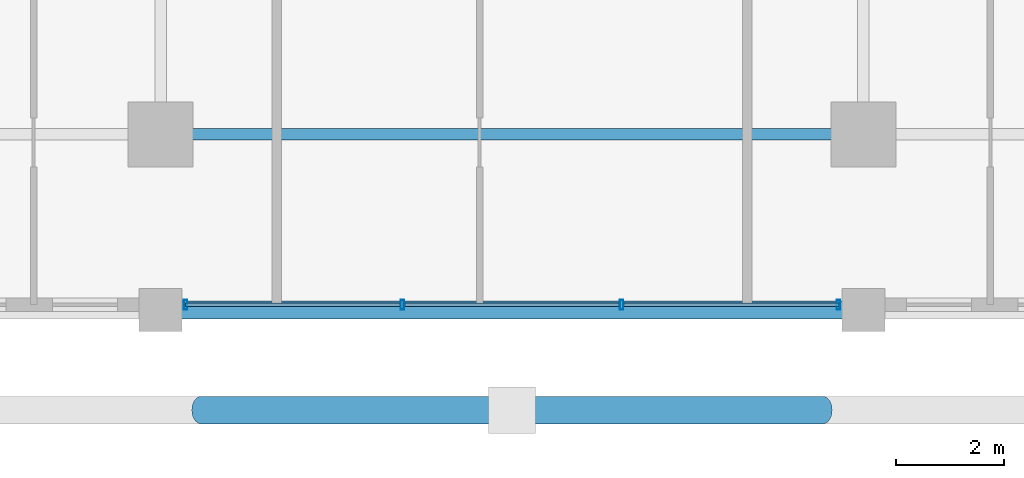
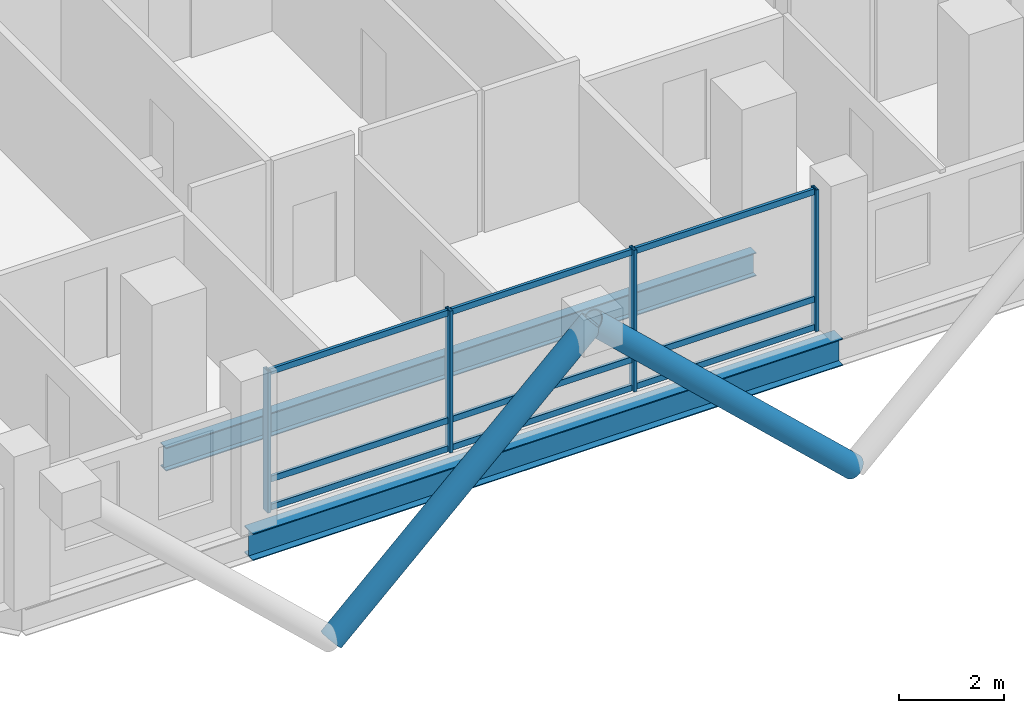
# One storey, part 2 of 23: 15 members, 2 beams, 1 element without a shape of its own.
"""IFC4 building model written with IfcOpenShell, lengths in metres."""

from ifc_helpers import new_model, si_unit, direction, frame, origin, origin_2d, place, context, subcontext, project, spatial, hollow_rectangle, hollow_circle, i_section, extrude, material, layer, layer_set, material_profile, profile_set, type_object, element, aggregate, save


model = new_model("IFC4")

# Units and contexts
model_context = context("Model", 3, precision=1e-05, world=origin(), true_north=direction((0.0, 1.0)))
body_context = subcontext(model_context, "Body", "Model", "MODEL_VIEW")
ifc_project = project(units=[si_unit("LENGTHUNIT", "METRE"), si_unit("AREAUNIT", "SQUARE_METRE"), si_unit("VOLUMEUNIT", "CUBIC_METRE"), si_unit("PLANEANGLEUNIT", "RADIAN"), si_unit("MASSUNIT", "GRAM", prefix="KILO")], contexts=[model_context])

# Site, building, storey
site_placement = place(None, origin())
site = spatial("IfcSite", under=ifc_project, at=site_placement, CompositionType="ELEMENT")
building_placement = place(site_placement, origin())
building = spatial("IfcBuilding", under=site, at=building_placement, Name="Barlavira Tower and Art Museum", CompositionType="ELEMENT")
storey_placement = place(building_placement, frame((0.0, 0.0, 117.0)))
storey = spatial("IfcBuildingStorey", under=building, at=storey_placement, Name="L29", CompositionType="ELEMENT", Elevation=117.0)

# Curtain wall, members
ifc_material_1 = material(Name="Low-iron coastal laminated glass", Category="glass")
ifc_layer = layer(ifc_material_1, 0.18994140625, Name="Low-iron coastal laminated glass")
ifc_layer_set = layer_set([ifc_layer], Name="Low-iron coastal laminated glass")
curtain_wall_type = type_object("IfcCurtainWallType", Name="Pale-Metal Unitised Curtain Wall Zone 2", PredefinedType="NOTDEFINED", material=ifc_layer_set)
curtain_wall_placement = place(storey_placement, origin())
curtain_wall = element("IfcCurtainWall", 1, at=curtain_wall_placement, inside=storey, type_object=curtain_wall_type, Name="L29 Curtain Wall CW2-L29-S-B3", PredefinedType="NOTDEFINED")
ifc_material_2 = material(Name="Pale anodised aluminium", Category="aluminium")
ifc_material_profile_1 = material_profile(ifc_material_2, hollow_rectangle(XDim=0.06494140625, YDim=0.179931640625, WallThickness=0.00390625, at=origin_2d()), Name="ALU-MULL 65x180x4")
ifc_profile_set_1 = profile_set([ifc_material_profile_1], Name="Pale anodised aluminium")
member_type_1 = type_object("IfcMemberType", Name="Curtain Wall Pale-Metal Mullion 65x180", PredefinedType="MULLION", material=ifc_profile_set_1)
member_1_placement = place(storey_placement, frame((-6.034912109375, -23.14990234375, 0.0), z_axis=(0.0, 0.0, 1.0), x_axis=(1.0, 0.0, 0.0)))
member_1 = element("IfcMember", 2, at=member_1_placement, type_object=member_type_1, Name="CW2-L29-S-B3 Mullion 0", PredefinedType="MULLION", context=body_context, shape_type="SweptSolid", body=[
    extrude(hollow_rectangle(XDim=0.06494140625, YDim=0.179931640625, WallThickness=0.00390625, at=origin_2d()), origin(), (0.0, 0.0, 1.0), 3.300048828125),
])
member_2_placement = place(storey_placement, frame((-2.026611328125, -23.14990234375, 0.0), z_axis=(0.0, 0.0, 1.0), x_axis=(1.0, 0.0, 0.0)))
member_2 = element("IfcMember", 3, at=member_2_placement, type_object=member_type_1, Name="CW2-L29-S-B3 Mullion 1", PredefinedType="MULLION", context=body_context, shape_type="SweptSolid", body=[
    extrude(hollow_rectangle(XDim=0.06494140625, YDim=0.179931640625, WallThickness=0.00390625, at=origin_2d()), origin(), (0.0, 0.0, 1.0), 3.300048828125),
])
member_3_placement = place(storey_placement, frame((2.026611328125, -23.14990234375, 0.0), z_axis=(0.0, 0.0, 1.0), x_axis=(1.0, 0.0, 0.0)))
member_3 = element("IfcMember", 4, at=member_3_placement, type_object=member_type_1, Name="CW2-L29-S-B3 Mullion 2", PredefinedType="MULLION", context=body_context, shape_type="SweptSolid", body=[
    extrude(hollow_rectangle(XDim=0.06494140625, YDim=0.179931640625, WallThickness=0.00390625, at=origin_2d()), origin(), (0.0, 0.0, 1.0), 3.300048828125),
])
member_4_placement = place(storey_placement, frame((6.034912109375, -23.14990234375, 0.0), z_axis=(0.0, 0.0, 1.0), x_axis=(1.0, 0.0, 0.0)))
member_4 = element("IfcMember", 5, at=member_4_placement, type_object=member_type_1, Name="CW2-L29-S-B3 Mullion 3", PredefinedType="MULLION", context=body_context, shape_type="SweptSolid", body=[
    extrude(hollow_rectangle(XDim=0.06494140625, YDim=0.179931640625, WallThickness=0.00390625, at=origin_2d()), origin(), (0.0, 0.0, 1.0), 3.300048828125),
])
ifc_material_profile_2 = material_profile(ifc_material_2, hollow_rectangle(XDim=0.06494140625, YDim=0.139892578125, WallThickness=0.00390625, at=origin_2d()), Name="ALU-TRAN 65x140x4")
ifc_profile_set_2 = profile_set([ifc_material_profile_2], Name="Pale anodised aluminium")
member_type_2 = type_object("IfcMemberType", Name="Curtain Wall Pale-Metal Transom 65x140", PredefinedType="USERDEFINED", material=ifc_profile_set_2)
member_5_placement = place(storey_placement, frame((-6.034912109375, -23.14990234375, 0.070068359375), z_axis=(1.0, 0.0, 0.0), x_axis=(0.0, 1.0, 0.0)))
member_5 = element("IfcMember", 6, at=member_5_placement, type_object=member_type_2, Name="CW2-L29-S-B3 Transom 0.1", ObjectType="TRANSOM", PredefinedType="USERDEFINED", context=body_context, shape_type="SweptSolid", body=[
    extrude(hollow_rectangle(XDim=0.06494140625, YDim=0.139892578125, WallThickness=0.00390625, at=origin_2d()), origin(), (0.0, 0.0, 1.0), 3.963134765625),
])
member_6_placement = place(storey_placement, frame((-6.034912109375, -23.14990234375, 0.72607421875), z_axis=(1.0, 0.0, 0.0), x_axis=(0.0, 1.0, 0.0)))
member_6 = element("IfcMember", 7, at=member_6_placement, type_object=member_type_2, Name="CW2-L29-S-B3 Transom 0.2", ObjectType="TRANSOM", PredefinedType="USERDEFINED", context=body_context, shape_type="SweptSolid", body=[
    extrude(hollow_rectangle(XDim=0.06494140625, YDim=0.139892578125, WallThickness=0.00390625, at=origin_2d()), origin(), (0.0, 0.0, 1.0), 3.963134765625),
])
member_7_placement = place(storey_placement, frame((-6.034912109375, -23.14990234375, 3.22998046875), z_axis=(1.0, 0.0, 0.0), x_axis=(0.0, 1.0, 0.0)))
member_7 = element("IfcMember", 8, at=member_7_placement, type_object=member_type_2, Name="CW2-L29-S-B3 Transom 0.3", ObjectType="TRANSOM", PredefinedType="USERDEFINED", context=body_context, shape_type="SweptSolid", body=[
    extrude(hollow_rectangle(XDim=0.06494140625, YDim=0.139892578125, WallThickness=0.00390625, at=origin_2d()), origin(), (0.0, 0.0, 1.0), 3.963134765625),
])
member_8_placement = place(storey_placement, frame((-1.981689453125, -23.14990234375, 0.070068359375), z_axis=(1.0, 0.0, 0.0), x_axis=(0.0, 1.0, 0.0)))
member_8 = element("IfcMember", 9, at=member_8_placement, type_object=member_type_2, Name="CW2-L29-S-B3 Transom 1.1", ObjectType="TRANSOM", PredefinedType="USERDEFINED", context=body_context, shape_type="SweptSolid", body=[
    extrude(hollow_rectangle(XDim=0.06494140625, YDim=0.139892578125, WallThickness=0.00390625, at=origin_2d()), origin(), (0.0, 0.0, 1.0), 3.96337890625),
])
member_9_placement = place(storey_placement, frame((-1.981689453125, -23.14990234375, 0.72607421875), z_axis=(1.0, 0.0, 0.0), x_axis=(0.0, 1.0, 0.0)))
member_9 = element("IfcMember", 10, at=member_9_placement, type_object=member_type_2, Name="CW2-L29-S-B3 Transom 1.2", ObjectType="TRANSOM", PredefinedType="USERDEFINED", context=body_context, shape_type="SweptSolid", body=[
    extrude(hollow_rectangle(XDim=0.06494140625, YDim=0.139892578125, WallThickness=0.00390625, at=origin_2d()), origin(), (0.0, 0.0, 1.0), 3.96337890625),
])
member_10_placement = place(storey_placement, frame((-1.981689453125, -23.14990234375, 3.22998046875), z_axis=(1.0, 0.0, 0.0), x_axis=(0.0, 1.0, 0.0)))
member_10 = element("IfcMember", 11, at=member_10_placement, type_object=member_type_2, Name="CW2-L29-S-B3 Transom 1.3", ObjectType="TRANSOM", PredefinedType="USERDEFINED", context=body_context, shape_type="SweptSolid", body=[
    extrude(hollow_rectangle(XDim=0.06494140625, YDim=0.139892578125, WallThickness=0.00390625, at=origin_2d()), origin(), (0.0, 0.0, 1.0), 3.96337890625),
])
member_11_placement = place(storey_placement, frame((2.07177734375, -23.14990234375, 0.070068359375), z_axis=(1.0, 0.0, 0.0), x_axis=(0.0, 1.0, 0.0)))
member_11 = element("IfcMember", 12, at=member_11_placement, type_object=member_type_2, Name="CW2-L29-S-B3 Transom 2.1", ObjectType="TRANSOM", PredefinedType="USERDEFINED", context=body_context, shape_type="SweptSolid", body=[
    extrude(hollow_rectangle(XDim=0.06494140625, YDim=0.139892578125, WallThickness=0.00390625, at=origin_2d()), origin(), (0.0, 0.0, 1.0), 3.963134765625),
])
member_12_placement = place(storey_placement, frame((2.07177734375, -23.14990234375, 0.72607421875), z_axis=(1.0, 0.0, 0.0), x_axis=(0.0, 1.0, 0.0)))
member_12 = element("IfcMember", 13, at=member_12_placement, type_object=member_type_2, Name="CW2-L29-S-B3 Transom 2.2", ObjectType="TRANSOM", PredefinedType="USERDEFINED", context=body_context, shape_type="SweptSolid", body=[
    extrude(hollow_rectangle(XDim=0.06494140625, YDim=0.139892578125, WallThickness=0.00390625, at=origin_2d()), origin(), (0.0, 0.0, 1.0), 3.963134765625),
])
member_13_placement = place(storey_placement, frame((2.07177734375, -23.14990234375, 3.22998046875), z_axis=(1.0, 0.0, 0.0), x_axis=(0.0, 1.0, 0.0)))
member_13 = element("IfcMember", 14, at=member_13_placement, type_object=member_type_2, Name="CW2-L29-S-B3 Transom 2.3", ObjectType="TRANSOM", PredefinedType="USERDEFINED", context=body_context, shape_type="SweptSolid", body=[
    extrude(hollow_rectangle(XDim=0.06494140625, YDim=0.139892578125, WallThickness=0.00390625, at=origin_2d()), origin(), (0.0, 0.0, 1.0), 3.963134765625),
])
aggregate(curtain_wall, [member_1, member_2, member_3, member_4, member_5, member_6, member_7, member_8, member_9, member_10, member_11, member_12, member_13])

# Members
ifc_material_3 = material(Name="Steel S355", Category="steel")
ifc_material_profile_3 = material_profile(ifc_material_3, hollow_circle(Radius=0.25390625, WallThickness=0.022216796875, at=origin_2d()), Name="CHS 508.0x22.2")
ifc_profile_set_3 = profile_set([ifc_material_profile_3], Name="Steel S355")
member_type_3 = type_object("IfcMemberType", Name="Pale-Metal Exoskeleton Diagrid Tube CHS 508x22 Steel S355", PredefinedType="BRACE", material=ifc_profile_set_3)
for number, where, z_axis, x_axis, name in (
    (15, (-5.75, -25.10009765625, -1.919921875), (0.728950095515, 0.0, 0.684566839869), (0.0, 1.0, 0.0), "L29 Exoskeleton Diagrid Tube S"),
    (16, (5.75, -25.10009765625, -1.919921875), (-0.728950095515, 0.0, 0.684566839869), (0.0, -1.0, 0.0), "L29 Exoskeleton Diagrid Tube S"),
):
    element("IfcMember", number, at=place(storey_placement, frame(where, z_axis=z_axis, x_axis=x_axis)), inside=storey, type_object=member_type_3, Name=name, PredefinedType="BRACE", context=body_context, shape_type="SweptSolid", body=[
        extrude(hollow_circle(Radius=0.25390625, WallThickness=0.022216796875, at=origin_2d()), origin(), (0.0, 0.0, 1.0), 7.887939453125),
    ])

# Beams
ifc_material_profile_4 = material_profile(ifc_material_3, i_section(OverallWidth=0.327880859375, OverallDepth=0.62890625, WebThickness=0.013916015625, FlangeThickness=0.021484375, at=origin_2d()), Name="W610x174.0")
ifc_profile_set_4 = profile_set([ifc_material_profile_4], Name="Steel S355")
beam_type_1 = type_object("IfcBeamType", Name="Perimeter Spandrel Edge Beam W610x174 Steel S355", PredefinedType="SPANDREL", material=ifc_profile_set_4)
beam_1_placement = place(storey_placement, frame((-6.5, -23.25, -0.534423828125), z_axis=(1.0, 0.0, 0.0), x_axis=(0.0, 1.0, 0.0)))
element("IfcBeam", 17, at=beam_1_placement, inside=storey, type_object=beam_type_1, Name="L29 Spandrel 2", PredefinedType="SPANDREL", context=body_context, shape_type="SweptSolid", body=[
    extrude(i_section(OverallWidth=0.327880859375, OverallDepth=0.62890625, WebThickness=0.013916015625, FlangeThickness=0.021484375, at=origin_2d()), origin(), (0.0, 0.0, 1.0), 13.0),
])
ifc_material_profile_5 = material_profile(ifc_material_3, i_section(OverallWidth=0.214111328125, OverallDepth=0.549072265625, WebThickness=0.0146484375, FlangeThickness=0.023681640625, at=origin_2d()), Name="W530x138.0")
ifc_profile_set_5 = profile_set([ifc_material_profile_5], Name="Steel S355")
beam_type_2 = type_object("IfcBeamType", Name="Zone 1 Primary Floor Girder W530x138 Steel S355", PredefinedType="BEAM", material=ifc_profile_set_5)
beam_2_placement = place(storey_placement, frame((-6.5, -20.0, -0.494384765625), z_axis=(1.0, 0.0, 0.0), x_axis=(0.0, 1.0, 0.0)))
element("IfcBeam", 18, at=beam_2_placement, inside=storey, type_object=beam_type_2, Name="L29 Girder M-S2", PredefinedType="BEAM", context=body_context, shape_type="SweptSolid", body=[
    extrude(i_section(OverallWidth=0.214111328125, OverallDepth=0.549072265625, WebThickness=0.0146484375, FlangeThickness=0.023681640625, at=origin_2d()), origin(), (0.0, 0.0, 1.0), 13.0),
])

save(model, "model.ifc")
